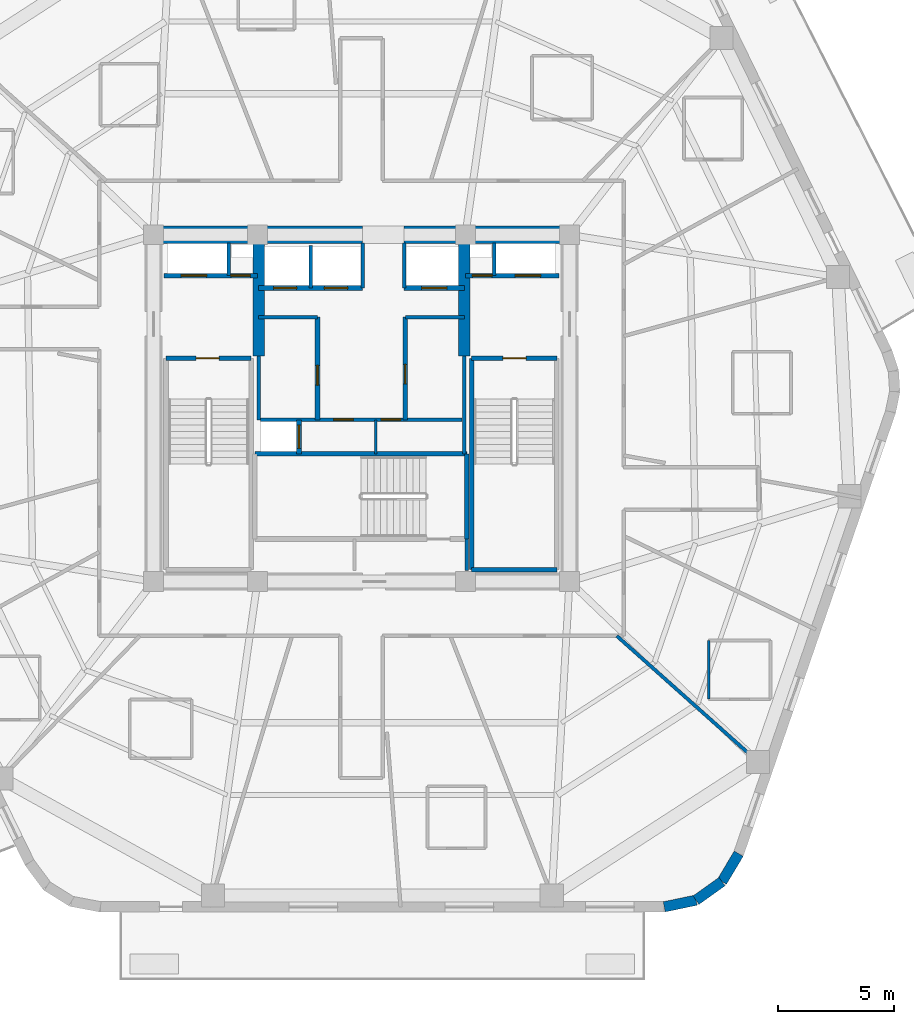
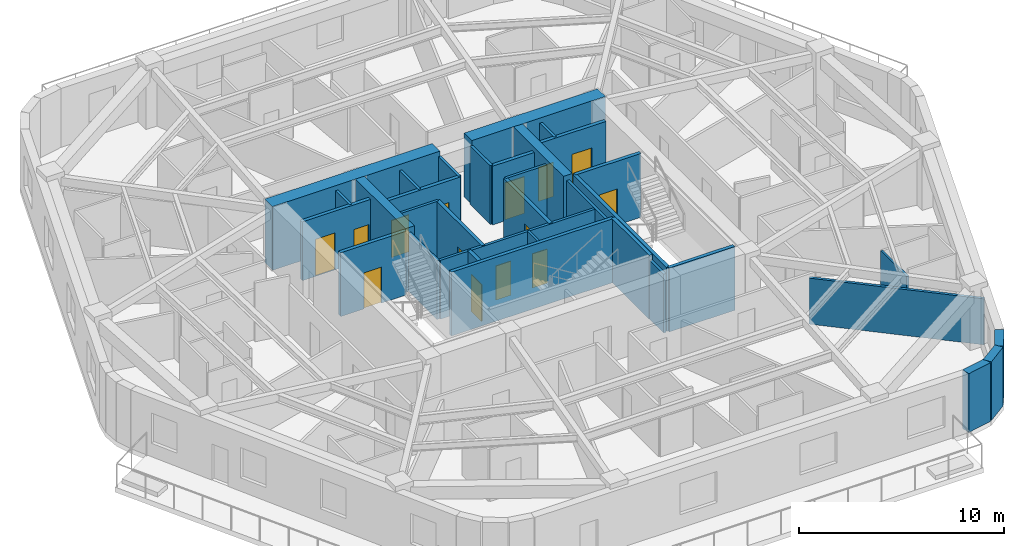
# One storey, part 4 of 10: 34 walls, 14 doors, 14 openings.
"""IFC4 building model written with IfcOpenShell, lengths in metres."""

from ifc_helpers import new_model, si_unit, direction, frame, frame_2d, origin, place, context, subcontext, project, spatial, rectangle, extrude, material, layer, layer_set, type_object, element, fill, save


model = new_model("IFC4")

# Units and contexts
model_context = context("Model", 3, precision=1e-05, world=origin(), true_north=direction((0.0, 1.0)))
body_context = subcontext(model_context, "Body", "Model", "MODEL_VIEW")
ifc_project = project(units=[si_unit("LENGTHUNIT", "METRE"), si_unit("AREAUNIT", "SQUARE_METRE"), si_unit("VOLUMEUNIT", "CUBIC_METRE"), si_unit("PLANEANGLEUNIT", "RADIAN"), si_unit("MASSUNIT", "GRAM", prefix="KILO")], contexts=[model_context])

# Site, building, storey
site_placement = place(None, origin())
site = spatial("IfcSite", under=ifc_project, at=site_placement, CompositionType="ELEMENT")
building_placement = place(site_placement, origin())
building = spatial("IfcBuilding", under=site, at=building_placement, Name="Kilnhurst Terrace Hotel", CompositionType="ELEMENT")
storey_placement = place(building_placement, frame((0.0, 0.0, 244.5)))
storey = spatial("IfcBuildingStorey", under=building, at=storey_placement, Name="L61", CompositionType="ELEMENT", Elevation=244.5)

# Walls
ifc_material_1 = material(Name="Precast concrete C40/50", Category="concrete")
ifc_layer_1 = layer(ifc_material_1, 0.449951171875, Name="Precast concrete C40/50")
ifc_layer_set_1 = layer_set([ifc_layer_1], Name="Precast concrete C40/50")
wall_type_1 = type_object("IfcWallType", Name="WL-BRK-450", PredefinedType="SOLIDWALL", material=ifc_layer_set_1)
wall_1_placement = place(storey_placement, frame((13.1015625, -21.574951171875, 0.0), z_axis=(0.0, 0.0, 1.0), x_axis=(0.978757421505, 0.205021730188, 0.0)))
element("IfcWall", 1, at=wall_1_placement, inside=storey, type_object=wall_type_1, Name="L61 Rounded Corner Brick Wall C2.1", PredefinedType="SOLIDWALL", context=body_context, shape_type="SweptSolid", body=[
    extrude(rectangle(XDim=1.40625, YDim=0.449951171875, at=frame_2d((0.703125, 0.0))), origin(), (0.0, 0.0, 1.0), 3.5),
])
wall_2_placement = place(storey_placement, frame((14.47802734375, -21.28662109375, 0.0), z_axis=(0.0, 0.0, 1.0), x_axis=(0.813888518617, 0.58102106611, 0.0)))
element("IfcWall", 2, at=wall_2_placement, inside=storey, type_object=wall_type_1, Name="L61 Rounded Corner Brick Wall C2.2", PredefinedType="SOLIDWALL", context=body_context, shape_type="SweptSolid", body=[
    extrude(rectangle(XDim=1.3828125, YDim=0.449951171875, at=frame_2d((0.69140625, 0.0))), origin(), (0.0, 0.0, 1.0), 3.5),
])
wall_3_placement = place(storey_placement, frame((15.603515625, -20.483154296875, 0.0), z_axis=(0.0, 0.0, 1.0), x_axis=(0.512222149036, 0.858852996756, 0.0)))
element("IfcWall", 3, at=wall_3_placement, inside=storey, type_object=wall_type_1, Name="L61 Rounded Corner Brick Wall C2.3", PredefinedType="SOLIDWALL", context=body_context, shape_type="SweptSolid", body=[
    extrude(rectangle(XDim=1.406494140625, YDim=0.449951171875, at=frame_2d((0.703125, 0.0))), origin(), (0.0, 0.0, 1.0), 3.5),
])
ifc_material_2 = material(Name="Concrete C60/75", Category="concrete")
ifc_layer_2 = layer(ifc_material_2, 0.75, Name="Concrete C60/75")
ifc_layer_set_2 = layer_set([ifc_layer_2], Name="Concrete C60/75")
wall_type_2 = type_object("IfcWallType", Name="WL-CORE-750", PredefinedType="SHEAR", material=ifc_layer_set_2)
wall_4_placement = place(storey_placement, frame((-9.375, 7.5, 0.0), z_axis=(0.0, 0.0, 1.0), x_axis=(1.0, 0.0, 0.0)))
element("IfcWall", 4, at=wall_4_placement, inside=storey, type_object=wall_type_2, Name="L61 Core North West Shear Wall", PredefinedType="SHEAR", context=body_context, shape_type="SweptSolid", body=[
    extrude(rectangle(XDim=9.425048828125, YDim=0.75, at=frame_2d((4.71240234375, 0.0))), origin(), (0.0, 0.0, 1.0), 3.800048828125),
])
wall_5_placement = place(storey_placement, frame((1.85009765625, 7.5, 0.0), z_axis=(0.0, 0.0, 1.0), x_axis=(1.0, 0.0, 0.0)))
element("IfcWall", 5, at=wall_5_placement, inside=storey, type_object=wall_type_2, Name="L61 Core North East Shear Wall", PredefinedType="SHEAR", context=body_context, shape_type="SweptSolid", body=[
    extrude(rectangle(XDim=7.52490234375, YDim=0.75, at=frame_2d((3.762451171875, 0.0))), origin(), (0.0, 0.0, 1.0), 3.800048828125),
])
ifc_layer_3 = layer(ifc_material_2, 0.5, Name="Concrete C60/75")
ifc_layer_set_3 = layer_set([ifc_layer_3], Name="Concrete C60/75")
wall_type_3 = type_object("IfcWallType", Name="WL-CORE-WEB-500", PredefinedType="SHEAR", material=ifc_layer_set_3)
for number, where, z_axis, x_axis, name in (
    (6, (-4.449951171875, 2.25, 0.0), (0.0, 0.0, 1.0), (0.0, 1.0, 0.0), "L61 Core Internal West Shear Web"),
    (7, (4.449951171875, 2.25, 0.0), (0.0, 0.0, 1.0), (0.0, 1.0, 0.0), "L61 Core Internal East Shear Web"),
):
    element("IfcWall", number, at=place(storey_placement, frame(where, z_axis=z_axis, x_axis=x_axis)), inside=storey, type_object=wall_type_3, Name=name, PredefinedType="SHEAR", context=body_context, shape_type="SweptSolid", body=[
        extrude(rectangle(XDim=4.875, YDim=0.5, at=frame_2d((2.4375, 0.0))), origin(), (0.0, 0.0, 1.0), 3.800048828125),
    ])
ifc_material_3 = material(Name="STC-58 Acoustic Twin-Frame Guestroom Demising Partition")
ifc_layer_4 = layer(ifc_material_3, 0.14990234375, Name="STC-58 Acoustic Twin-Frame Guestroom Demising Partition")
ifc_layer_set_4 = layer_set([ifc_layer_4], Name="STC-58 Acoustic Twin-Frame Guestroom Demising Partition")
wall_type_4 = type_object("IfcWallType", Name="WL-DEM-150", PredefinedType="PARTITIONING", material=ifc_layer_set_4)
wall_6_placement = place(storey_placement, frame((11.04833984375, -9.85009765625, 0.0), z_axis=(0.0, 0.0, 1.0), x_axis=(0.746444434655, -0.665447748492, 0.0)))
element("IfcWall", 8, at=wall_6_placement, inside=storey, type_object=wall_type_4, Name="L61 Interior Wall WL-L61-DEM-COL11-16-1", PredefinedType="PARTITIONING", context=body_context, shape_type="SweptSolid", body=[
    extrude(rectangle(XDim=8.732177734375, YDim=0.14990234375, at=frame_2d((4.3662109375, 0.0))), origin(), (0.0, 0.0, 1.0), 2.739990234375),
])
ifc_material_4 = material(Name="120 mm Moisture-Resistant Tile-Backed Bathroom Partition")
ifc_layer_5 = layer(ifc_material_4, 0.1201171875, Name="120 mm Moisture-Resistant Tile-Backed Bathroom Partition")
ifc_layer_set_5 = layer_set([ifc_layer_5], Name="120 mm Moisture-Resistant Tile-Backed Bathroom Partition")
wall_type_5 = type_object("IfcWallType", Name="WL-PART-120", PredefinedType="PARTITIONING", material=ifc_layer_set_5)
wall_7_placement = place(storey_placement, frame((0.6201171875, -1.971923828125, 0.0), z_axis=(0.0, 0.0, 1.0), x_axis=(0.0, 1.0, 0.0)))
element("IfcWall", 9, at=wall_7_placement, inside=storey, type_object=wall_type_5, Name="L61 Interior Wall WL-L61-BOH-C1", PredefinedType="PARTITIONING", context=body_context, shape_type="SweptSolid", body=[
    extrude(rectangle(XDim=1.471923828125, YDim=0.1201171875, at=frame_2d((0.73583984375, 0.0))), origin(), (0.0, 0.0, 1.0), 3.5),
])
wall_8_placement = place(storey_placement, frame((15.02392578125, -10.049072265625, 0.0), z_axis=(0.0, 0.0, 1.0), x_axis=(0.0, -1.0, 0.0)))
element("IfcWall", 10, at=wall_8_placement, inside=storey, type_object=wall_type_5, Name="L61 Interior Wall WL-L61-BTH-16-4", PredefinedType="PARTITIONING", context=body_context, shape_type="SweptSolid", body=[
    extrude(rectangle(XDim=2.5400390625, YDim=0.1201171875, at=frame_2d((1.27001953125, 0.0))), origin(), (0.0, 0.0, 1.0), 3.072509765625),
])
ifc_material_5 = material(Name="Fire-Rated Gypsum Shaftliner Assembly")
ifc_layer_6 = layer(ifc_material_5, 0.14990234375, Name="Fire-Rated Gypsum Shaftliner Assembly")
ifc_layer_set_6 = layer_set([ifc_layer_6], Name="Fire-Rated Gypsum Shaftliner Assembly")
wall_type_6 = type_object("IfcWallType", Name="WL-SHAFT-150", PredefinedType="PARTITIONING", material=ifc_layer_set_6)
wall_9_placement = place(storey_placement, frame((4.55810546875, -7.02001953125, 0.0), z_axis=(0.0, 0.0, 1.0), x_axis=(0.0, 1.0, 0.0)))
element("IfcWall", 11, at=wall_9_placement, inside=storey, type_object=wall_type_6, Name="L61 Interior Wall WL-L61-ST3-PSGE", PredefinedType="PARTITIONING", context=body_context, shape_type="SweptSolid", body=[
    extrude(rectangle(XDim=1.362060546875, YDim=0.14990234375, at=frame_2d((0.68115234375, 0.0))), origin(), (0.0, 0.0, 1.0), 3.5),
])
for number, where, z_axis, x_axis, name in (
    (12, (-5.75, 5.739990234375, 0.0), (0.0, 0.0, 1.0), (0.0, 1.0, 0.0), "L61 Interior Wall WL-L61-RIS1-DIV"),
    (13, (5.75, 5.739990234375, 0.0), (0.0, 0.0, 1.0), (0.0, 1.0, 0.0), "L61 Interior Wall WL-L61-RIS2-DIV"),
):
    element("IfcWall", number, at=place(storey_placement, frame(where, z_axis=z_axis, x_axis=x_axis)), inside=storey, type_object=wall_type_6, Name=name, PredefinedType="PARTITIONING", context=body_context, shape_type="SweptSolid", body=[
        extrude(rectangle(XDim=1.409912109375, YDim=0.14990234375, at=frame_2d((0.705078125, 0.0))), origin(), (0.0, 0.0, 1.0), 3.5),
    ])
wall_10_placement = place(storey_placement, frame((-2.199951171875, 5.199951171875, 0.0), z_axis=(0.0, 0.0, 1.0), x_axis=(0.0, 1.0, 0.0)))
element("IfcWall", 14, at=wall_10_placement, inside=storey, type_object=wall_type_6, Name="L61 Interior Wall WL-L61-HR-DIV1", PredefinedType="PARTITIONING", context=body_context, shape_type="SweptSolid", body=[
    extrude(rectangle(XDim=1.85009765625, YDim=0.14990234375, at=frame_2d((0.925048828125, 0.0))), origin(), (0.0, 0.0, 1.0), 3.5),
])
for number, where, z_axis, x_axis, name in (
    (15, (0.050048828125, 5.199951171875, 0.0), (0.0, 0.0, 1.0), (0.0, 1.0, 0.0), "L61 Interior Wall WL-L61-HR-PORTAL-W"),
    (16, (1.85009765625, 5.199951171875, 0.0), (0.0, 0.0, 1.0), (0.0, 1.0, 0.0), "L61 Interior Wall WL-L61-HR-PORTAL-E"),
):
    element("IfcWall", number, at=place(storey_placement, frame(where, z_axis=z_axis, x_axis=x_axis)), inside=storey, type_object=wall_type_6, Name=name, PredefinedType="PARTITIONING", context=body_context, shape_type="SweptSolid", body=[
        extrude(rectangle(XDim=1.949951171875, YDim=0.14990234375, at=frame_2d((0.97509765625, 0.0))), origin(), (0.0, 0.0, 1.0), 3.5),
    ])
wall_11_placement = place(storey_placement, frame((-4.449951171875, -0.5, 0.0), z_axis=(0.0, 0.0, 1.0), x_axis=(0.0, 1.0, 0.0)))
element("IfcWall", 17, at=wall_11_placement, inside=storey, type_object=wall_type_6, Name="L61 Interior Wall WL-L61-XLOB-W", PredefinedType="PARTITIONING", context=body_context, shape_type="SweptSolid", body=[
    extrude(rectangle(XDim=2.75, YDim=0.14990234375, at=frame_2d((1.375, 0.0))), origin(), (0.0, 0.0, 1.0), 3.5),
])
wall_12_placement = place(storey_placement, frame((4.449951171875, -1.971923828125, 0.0), z_axis=(0.0, 0.0, 1.0), x_axis=(0.0, 1.0, 0.0)))
element("IfcWall", 18, at=wall_12_placement, inside=storey, type_object=wall_type_6, Name="L61 Interior Wall WL-L61-XLOB-E", PredefinedType="PARTITIONING", context=body_context, shape_type="SweptSolid", body=[
    extrude(rectangle(XDim=4.221923828125, YDim=0.14990234375, at=frame_2d((2.11083984375, 0.0))), origin(), (0.0, 0.0, 1.0), 3.5),
])
for number, where, z_axis, x_axis, name in (
    (19, (-4.449951171875, 3.93994140625, 0.0), (0.0, 0.0, 1.0), (1.0, 0.0, 0.0), "L61 Interior Wall WL-L61-LR-NORTH"),
    (20, (1.89990234375, 3.93994140625, 0.0), (0.0, 0.0, 1.0), (1.0, 0.0, 0.0), "L61 Interior Wall WL-L61-MR-NORTH"),
):
    element("IfcWall", number, at=place(storey_placement, frame(where, z_axis=z_axis, x_axis=x_axis)), inside=storey, type_object=wall_type_6, Name=name, PredefinedType="PARTITIONING", context=body_context, shape_type="SweptSolid", body=[
        extrude(rectangle(XDim=2.550048828125, YDim=0.14990234375, at=frame_2d((1.27490234375, 0.0))), origin(), (0.0, 0.0, 1.0), 3.5),
    ])

# Wall, openings, doors
wall_13_placement = place(storey_placement, frame((-4.360107421875, -0.489990234375, 0.0), z_axis=(0.0, 0.0, 1.0), x_axis=(1.0, 0.0, 0.0)))
wall_13 = element("IfcWall", 21, at=wall_13_placement, inside=storey, type_object=wall_type_6, Name="L61 Interior Wall WL-L61-BOH-N", PredefinedType="PARTITIONING", context=body_context, shape_type="SweptSolid", body=[
    extrude(rectangle(XDim=8.72021484375, YDim=0.14990234375, at=frame_2d((4.360107421875, 0.0))), origin(), (0.0, 0.0, 1.0), 3.5),
])
opening_1_placement = place(wall_13_placement, frame((3.159912109375, 0.0, 0.0)))
opening_1 = element("IfcOpeningElement", 22, at=opening_1_placement, cuts=wall_13, Name="Opening D-60D", PredefinedType="OPENING", context=body_context, shape_type="SweptSolid", body=[
    extrude(rectangle(XDim=0.85009765625, YDim=2.030029296875, at=frame_2d((0.425048828125, 1.01513671875))), frame((0.0, 0.0849609375, 0.0), z_axis=(0.0, -1.0, 0.0), x_axis=(1.0, 0.0, 0.0)), (0.0, 0.0, 1.0), 0.169921875),
])
opening_2_placement = place(wall_13_placement, frame((5.2099609375, 0.0, 0.0)))
opening_2 = element("IfcOpeningElement", 23, at=opening_2_placement, cuts=wall_13, Name="Opening D-60D", PredefinedType="OPENING", context=body_context, shape_type="SweptSolid", body=[
    extrude(rectangle(XDim=0.85009765625, YDim=2.030029296875, at=frame_2d((0.425048828125, 1.01513671875))), frame((0.0, 0.0849609375, 0.0), z_axis=(0.0, -1.0, 0.0), x_axis=(1.0, 0.0, 0.0)), (0.0, 0.0, 1.0), 0.169921875),
])
ifc_material_6 = material(Name="Painted Hollow Metal Steel ASTM A36 Riser Door", Category="steel")
door_type_1 = type_object("IfcDoorType", Name="DR-FD60-850", OperationType="NOTDEFINED", PredefinedType="DOOR", material=ifc_material_6)
door_1_placement = place(opening_1_placement, origin())
door_1 = element("IfcDoor", 24, at=door_1_placement, inside=storey, type_object=door_type_1, Name="L61 Housekeeping Laundry Door", OperationType="SINGLE_SWING_LEFT", OverallHeight=2.030029296875, OverallWidth=0.85009765625, PredefinedType="DOOR", context=body_context, shape_type="SweptSolid", body=[
    extrude(rectangle(XDim=0.85009765625, YDim=2.030029296875, at=frame_2d((0.425048828125, 1.01513671875))), frame((0.0, 0.02490234375, 0.0), z_axis=(0.0, -1.0, 0.0), x_axis=(1.0, 0.0, 0.0)), (0.0, 0.0, 1.0), 0.050048828125),
])
fill(opening_1, door_1)
door_2_placement = place(opening_2_placement, origin())
door_2 = element("IfcDoor", 25, at=door_2_placement, inside=storey, type_object=door_type_1, Name="L61 Room Service Kitchen Door", OperationType="SINGLE_SWING_RIGHT", OverallHeight=2.030029296875, OverallWidth=0.85009765625, PredefinedType="DOOR", context=body_context, shape_type="SweptSolid", body=[
    extrude(rectangle(XDim=0.85009765625, YDim=2.030029296875, at=frame_2d((0.425048828125, 1.01513671875))), frame((0.0, 0.02490234375, 0.0), z_axis=(0.0, -1.0, 0.0), x_axis=(1.0, 0.0, 0.0)), (0.0, 0.0, 1.0), 0.050048828125),
])
fill(opening_2, door_2)

ifc_material_7 = material(Name="Autoclaved Aerated Concrete C30/37 and Gypsum Shaft Assembly", Category="concrete")
ifc_layer_7 = layer(ifc_material_7, 0.199951171875, Name="Autoclaved Aerated Concrete C30/37 and Gypsum Shaft Assembly")
ifc_layer_set_7 = layer_set([ifc_layer_7], Name="Autoclaved Aerated Concrete C30/37 and Gypsum Shaft Assembly")
wall_type_7 = type_object("IfcWallType", Name="WL-SHAFT-200", PredefinedType="PARTITIONING", material=ifc_layer_set_7)
wall_14_placement = place(storey_placement, frame((-8.550048828125, 5.739990234375, 0.0), z_axis=(0.0, 0.0, 1.0), x_axis=(1.0, 0.0, 0.0)))
wall_14 = element("IfcWall", 26, at=wall_14_placement, inside=storey, type_object=wall_type_7, Name="L61 Interior Wall WL-L61-FSAE1-S", PredefinedType="PARTITIONING", context=body_context, shape_type="SweptSolid", body=[
    extrude(rectangle(XDim=4.050048828125, YDim=0.199951171875, at=frame_2d((2.02490234375, 0.0))), origin(), (0.0, 0.0, 1.0), 3.5),
])
opening_3_placement = place(wall_14_placement, frame((0.75, 0.0, 0.0)))
opening_3 = element("IfcOpeningElement", 27, at=opening_3_placement, cuts=wall_14, Name="Opening LD-F1", PredefinedType="OPENING", context=body_context, shape_type="SweptSolid", body=[
    extrude(rectangle(XDim=1.10009765625, YDim=2.199951171875, at=frame_2d((0.550048828125, 1.10009765625))), frame((0.0, 0.10986328125, 0.0), z_axis=(0.0, -1.0, 0.0), x_axis=(1.0, 0.0, 0.0)), (0.0, 0.0, 1.0), 0.219970703125),
])
opening_4_placement = place(wall_14_placement, frame((2.89990234375, 0.0, 0.0)))
opening_4 = element("IfcOpeningElement", 28, at=opening_4_placement, cuts=wall_14, Name="Opening D-60D", PredefinedType="OPENING", context=body_context, shape_type="SweptSolid", body=[
    extrude(rectangle(XDim=0.85009765625, YDim=2.030029296875, at=frame_2d((0.425048828125, 1.01513671875))), frame((0.0, 0.10986328125, 0.0), z_axis=(0.0, -1.0, 0.0), x_axis=(1.0, 0.0, 0.0)), (0.0, 0.0, 1.0), 0.219970703125),
])
door_3_placement = place(opening_4_placement, origin())
door_3 = element("IfcDoor", 29, at=door_3_placement, inside=storey, type_object=door_type_1, Name="L61 Electrical Riser Door", OperationType="SINGLE_SWING_LEFT", OverallHeight=2.030029296875, OverallWidth=0.85009765625, PredefinedType="DOOR", context=body_context, shape_type="SweptSolid", body=[
    extrude(rectangle(XDim=0.85009765625, YDim=2.030029296875, at=frame_2d((0.425048828125, 1.01513671875))), frame((0.0, 0.02490234375, 0.0), z_axis=(0.0, -1.0, 0.0), x_axis=(1.0, 0.0, 0.0)), (0.0, 0.0, 1.0), 0.050048828125),
])
fill(opening_4, door_3)
ifc_material_8 = material(Name="Bronze-Anodized Stainless Steel AISI 316L Sliding Door", Category="steel")
door_type_2 = type_object("IfcDoorType", Name="DR-LIFT-1100", OperationType="NOTDEFINED", PredefinedType="DOOR", material=ifc_material_8)
door_4_placement = place(opening_3_placement, origin())
door_4 = element("IfcDoor", 30, at=door_4_placement, inside=storey, type_object=door_type_2, Name="L61 FSAE-1 Landing Door", OperationType="SLIDING_TO_LEFT", OverallHeight=2.199951171875, OverallWidth=1.10009765625, PredefinedType="DOOR", context=body_context, shape_type="SweptSolid", body=[
    extrude(rectangle(XDim=1.10009765625, YDim=2.199951171875, at=frame_2d((0.550048828125, 1.10009765625))), frame((0.0, 0.02490234375, 0.0), z_axis=(0.0, -1.0, 0.0), x_axis=(1.0, 0.0, 0.0)), (0.0, 0.0, 1.0), 0.050048828125),
])
fill(opening_3, door_4)

wall_15_placement = place(storey_placement, frame((4.5, 5.739990234375, 0.0), z_axis=(0.0, 0.0, 1.0), x_axis=(1.0, 0.0, 0.0)))
wall_15 = element("IfcWall", 31, at=wall_15_placement, inside=storey, type_object=wall_type_7, Name="L61 Interior Wall WL-L61-FSAE2-S", PredefinedType="PARTITIONING", context=body_context, shape_type="SweptSolid", body=[
    extrude(rectangle(XDim=4.050048828125, YDim=0.199951171875, at=frame_2d((2.02490234375, 0.0))), origin(), (0.0, 0.0, 1.0), 3.5),
])
opening_5_placement = place(wall_15_placement, frame((0.300048828125, 0.0, 0.0)))
opening_5 = element("IfcOpeningElement", 32, at=opening_5_placement, cuts=wall_15, Name="Opening D-60D", PredefinedType="OPENING", context=body_context, shape_type="SweptSolid", body=[
    extrude(rectangle(XDim=0.85009765625, YDim=2.030029296875, at=frame_2d((0.425048828125, 1.01513671875))), frame((0.0, 0.10986328125, 0.0), z_axis=(0.0, -1.0, 0.0), x_axis=(1.0, 0.0, 0.0)), (0.0, 0.0, 1.0), 0.219970703125),
])
opening_6_placement = place(wall_15_placement, frame((2.14990234375, 0.0, 0.0)))
opening_6 = element("IfcOpeningElement", 33, at=opening_6_placement, cuts=wall_15, Name="Opening LD-F2", PredefinedType="OPENING", context=body_context, shape_type="SweptSolid", body=[
    extrude(rectangle(XDim=1.10009765625, YDim=2.199951171875, at=frame_2d((0.550048828125, 1.10009765625))), frame((0.0, 0.10986328125, 0.0), z_axis=(0.0, -1.0, 0.0), x_axis=(1.0, 0.0, 0.0)), (0.0, 0.0, 1.0), 0.219970703125),
])
door_5_placement = place(opening_5_placement, origin())
door_5 = element("IfcDoor", 34, at=door_5_placement, inside=storey, type_object=door_type_1, Name="L61 Telecom Riser Door", OperationType="SINGLE_SWING_RIGHT", OverallHeight=2.030029296875, OverallWidth=0.85009765625, PredefinedType="DOOR", context=body_context, shape_type="SweptSolid", body=[
    extrude(rectangle(XDim=0.85009765625, YDim=2.030029296875, at=frame_2d((0.425048828125, 1.01513671875))), frame((0.0, 0.02490234375, 0.0), z_axis=(0.0, -1.0, 0.0), x_axis=(1.0, 0.0, 0.0)), (0.0, 0.0, 1.0), 0.050048828125),
])
fill(opening_5, door_5)
door_6_placement = place(opening_6_placement, origin())
door_6 = element("IfcDoor", 35, at=door_6_placement, inside=storey, type_object=door_type_2, Name="L61 FSAE-2 Landing Door", OperationType="SLIDING_TO_RIGHT", OverallHeight=2.199951171875, OverallWidth=1.10009765625, PredefinedType="DOOR", context=body_context, shape_type="SweptSolid", body=[
    extrude(rectangle(XDim=1.10009765625, YDim=2.199951171875, at=frame_2d((0.550048828125, 1.10009765625))), frame((0.0, 0.02490234375, 0.0), z_axis=(0.0, -1.0, 0.0), x_axis=(1.0, 0.0, 0.0)), (0.0, 0.0, 1.0), 0.050048828125),
])
fill(opening_6, door_6)

# Wall, opening, door
wall_16_placement = place(storey_placement, frame((-2.699951171875, -1.971923828125, 0.0), z_axis=(0.0, 0.0, 1.0), x_axis=(0.0, 1.0, 0.0)))
wall_16 = element("IfcWall", 36, at=wall_16_placement, inside=storey, type_object=wall_type_7, Name="L61 Interior Wall WL-L61-SRV1-E", PredefinedType="PARTITIONING", context=body_context, shape_type="SweptSolid", body=[
    extrude(rectangle(XDim=1.471923828125, YDim=0.199951171875, at=frame_2d((0.73583984375, 0.0))), origin(), (0.0, 0.0, 1.0), 3.5),
])
opening_7_placement = place(wall_16_placement, frame((0.239990234375, 0.0, 0.0)))
opening_7 = element("IfcOpeningElement", 37, at=opening_7_placement, cuts=wall_16, Name="Opening LD-SV", PredefinedType="OPENING", context=body_context, shape_type="SweptSolid", body=[
    extrude(rectangle(XDim=1.0, YDim=2.199951171875, at=frame_2d((0.5, 1.10009765625))), frame((0.0, 0.10986328125, 0.0), z_axis=(0.0, -1.0, 0.0), x_axis=(1.0, 0.0, 0.0)), (0.0, 0.0, 1.0), 0.219970703125),
])
door_type_3 = type_object("IfcDoorType", Name="DR-LIFT-1000", OperationType="NOTDEFINED", PredefinedType="DOOR", material=ifc_material_8)
door_7_placement = place(opening_7_placement, origin())
door_7 = element("IfcDoor", 38, at=door_7_placement, inside=storey, type_object=door_type_3, Name="L61 Service Lift SRV-1 Landing Door", OperationType="SLIDING_TO_LEFT", OverallHeight=2.199951171875, OverallWidth=1.0, PredefinedType="DOOR", context=body_context, shape_type="SweptSolid", body=[
    extrude(rectangle(XDim=1.0, YDim=2.199951171875, at=frame_2d((0.5, 1.10009765625))), frame((0.0, 0.02490234375, 0.0), z_axis=(0.0, -1.0, 0.0), x_axis=(1.0, 0.0, 0.0)), (0.0, 0.0, 1.0), 0.050048828125),
])
fill(opening_7, door_7)

# Wall, openings, doors
wall_17_placement = place(storey_placement, frame((-4.449951171875, 5.199951171875, 0.0), z_axis=(0.0, 0.0, 1.0), x_axis=(1.0, 0.0, 0.0)))
wall_17 = element("IfcWall", 39, at=wall_17_placement, inside=storey, type_object=wall_type_7, Name="L61 Interior Wall WL-L61-HR-SW", PredefinedType="PARTITIONING", context=body_context, shape_type="SweptSolid", body=[
    extrude(rectangle(XDim=4.5, YDim=0.199951171875, at=frame_2d((2.25, 0.0))), origin(), (0.0, 0.0, 1.0), 3.5),
])
opening_8_placement = place(wall_17_placement, frame((0.64990234375, 0.0, 0.0)))
opening_8 = element("IfcOpeningElement", 40, at=opening_8_placement, cuts=wall_17, Name="Opening LD-HR", PredefinedType="OPENING", context=body_context, shape_type="SweptSolid", body=[
    extrude(rectangle(XDim=1.0, YDim=2.199951171875, at=frame_2d((0.5, 1.10009765625))), frame((0.0, 0.10986328125, 0.0), z_axis=(0.0, -1.0, 0.0), x_axis=(1.0, 0.0, 0.0)), (0.0, 0.0, 1.0), 0.219970703125),
])
opening_9_placement = place(wall_17_placement, frame((2.85009765625, 0.0, 0.0)))
opening_9 = element("IfcOpeningElement", 41, at=opening_9_placement, cuts=wall_17, Name="Opening LD-HS", PredefinedType="OPENING", context=body_context, shape_type="SweptSolid", body=[
    extrude(rectangle(XDim=1.0, YDim=2.199951171875, at=frame_2d((0.5, 1.10009765625))), frame((0.0, 0.10986328125, 0.0), z_axis=(0.0, -1.0, 0.0), x_axis=(1.0, 0.0, 0.0)), (0.0, 0.0, 1.0), 0.219970703125),
])
door_8_placement = place(opening_8_placement, origin())
door_8 = element("IfcDoor", 42, at=door_8_placement, inside=storey, type_object=door_type_3, Name="L61 High Rise Lift HR-1 Landing Door", OperationType="SLIDING_TO_LEFT", OverallHeight=2.199951171875, OverallWidth=1.0, PredefinedType="DOOR", context=body_context, shape_type="SweptSolid", body=[
    extrude(rectangle(XDim=1.0, YDim=2.199951171875, at=frame_2d((0.5, 1.10009765625))), frame((0.0, 0.02490234375, 0.0), z_axis=(0.0, -1.0, 0.0), x_axis=(1.0, 0.0, 0.0)), (0.0, 0.0, 1.0), 0.050048828125),
])
fill(opening_8, door_8)
door_9_placement = place(opening_9_placement, origin())
door_9 = element("IfcDoor", 43, at=door_9_placement, inside=storey, type_object=door_type_3, Name="L61 High Rise Lift HR-3 Landing Door", OperationType="SLIDING_TO_RIGHT", OverallHeight=2.199951171875, OverallWidth=1.0, PredefinedType="DOOR", context=body_context, shape_type="SweptSolid", body=[
    extrude(rectangle(XDim=1.0, YDim=2.199951171875, at=frame_2d((0.5, 1.10009765625))), frame((0.0, 0.02490234375, 0.0), z_axis=(0.0, -1.0, 0.0), x_axis=(1.0, 0.0, 0.0)), (0.0, 0.0, 1.0), 0.050048828125),
])
fill(opening_9, door_9)

# Wall, opening, door
wall_18_placement = place(storey_placement, frame((1.85009765625, 5.199951171875, 0.0), z_axis=(0.0, 0.0, 1.0), x_axis=(1.0, 0.0, 0.0)))
wall_18 = element("IfcWall", 44, at=wall_18_placement, inside=storey, type_object=wall_type_7, Name="L61 Interior Wall WL-L61-HR-SE", PredefinedType="PARTITIONING", context=body_context, shape_type="SweptSolid", body=[
    extrude(rectangle(XDim=2.599853515625, YDim=0.199951171875, at=frame_2d((1.2998046875, 0.0))), origin(), (0.0, 0.0, 1.0), 3.5),
])
opening_10_placement = place(wall_18_placement, frame((0.75, 0.0, 0.0)))
opening_10 = element("IfcOpeningElement", 45, at=opening_10_placement, cuts=wall_18, Name="Opening LD-H2", PredefinedType="OPENING", context=body_context, shape_type="SweptSolid", body=[
    extrude(rectangle(XDim=1.10009765625, YDim=2.199951171875, at=frame_2d((0.550048828125, 1.10009765625))), frame((0.0, 0.10986328125, 0.0), z_axis=(0.0, -1.0, 0.0), x_axis=(1.0, 0.0, 0.0)), (0.0, 0.0, 1.0), 0.219970703125),
])
door_10_placement = place(opening_10_placement, origin())
door_10 = element("IfcDoor", 46, at=door_10_placement, inside=storey, type_object=door_type_2, Name="L61 High Rise Lift HR-2 Landing Door", OperationType="SLIDING_TO_RIGHT", OverallHeight=2.199951171875, OverallWidth=1.10009765625, PredefinedType="DOOR", context=body_context, shape_type="SweptSolid", body=[
    extrude(rectangle(XDim=1.10009765625, YDim=2.199951171875, at=frame_2d((0.550048828125, 1.10009765625))), frame((0.0, 0.02490234375, 0.0), z_axis=(0.0, -1.0, 0.0), x_axis=(1.0, 0.0, 0.0)), (0.0, 0.0, 1.0), 0.050048828125),
])
fill(opening_10, door_10)

wall_19_placement = place(storey_placement, frame((-1.89990234375, -0.5, 0.0), z_axis=(0.0, 0.0, 1.0), x_axis=(0.0, 1.0, 0.0)))
wall_19 = element("IfcWall", 47, at=wall_19_placement, inside=storey, type_object=wall_type_7, Name="L61 Interior Wall WL-L61-LR-FRONT", PredefinedType="PARTITIONING", context=body_context, shape_type="SweptSolid", body=[
    extrude(rectangle(XDim=4.43994140625, YDim=0.199951171875, at=frame_2d((2.219970703125, 0.0))), origin(), (0.0, 0.0, 1.0), 3.5),
])
opening_11_placement = place(wall_19_placement, frame((1.5, 0.0, 0.0)))
opening_11 = element("IfcOpeningElement", 48, at=opening_11_placement, cuts=wall_19, Name="Opening D-60D", PredefinedType="OPENING", context=body_context, shape_type="SweptSolid", body=[
    extrude(rectangle(XDim=0.85009765625, YDim=2.030029296875, at=frame_2d((0.425048828125, 1.01513671875))), frame((0.0, 0.10986328125, 0.0), z_axis=(0.0, -1.0, 0.0), x_axis=(1.0, 0.0, 0.0)), (0.0, 0.0, 1.0), 0.219970703125),
])
door_11_placement = place(opening_11_placement, origin())
door_11 = element("IfcDoor", 49, at=door_11_placement, inside=storey, type_object=door_type_1, Name="L61 Reclaimed Linen Room Door", OperationType="SINGLE_SWING_LEFT", OverallHeight=2.030029296875, OverallWidth=0.85009765625, PredefinedType="DOOR", context=body_context, shape_type="SweptSolid", body=[
    extrude(rectangle(XDim=0.85009765625, YDim=2.030029296875, at=frame_2d((0.425048828125, 1.01513671875))), frame((0.0, 0.02490234375, 0.0), z_axis=(0.0, -1.0, 0.0), x_axis=(1.0, 0.0, 0.0)), (0.0, 0.0, 1.0), 0.050048828125),
])
fill(opening_11, door_11)

wall_20_placement = place(storey_placement, frame((1.89990234375, -0.5, 0.0), z_axis=(0.0, 0.0, 1.0), x_axis=(0.0, 1.0, 0.0)))
wall_20 = element("IfcWall", 50, at=wall_20_placement, inside=storey, type_object=wall_type_7, Name="L61 Interior Wall WL-L61-MR-FRONT", PredefinedType="PARTITIONING", context=body_context, shape_type="SweptSolid", body=[
    extrude(rectangle(XDim=4.43994140625, YDim=0.199951171875, at=frame_2d((2.219970703125, 0.0))), origin(), (0.0, 0.0, 1.0), 3.5),
])
opening_12_placement = place(wall_20_placement, frame((1.550048828125, 0.0, 0.0)))
opening_12 = element("IfcOpeningElement", 51, at=opening_12_placement, cuts=wall_20, Name="Opening D-60D", PredefinedType="OPENING", context=body_context, shape_type="SweptSolid", body=[
    extrude(rectangle(XDim=0.85009765625, YDim=2.030029296875, at=frame_2d((0.425048828125, 1.01513671875))), frame((0.0, 0.10986328125, 0.0), z_axis=(0.0, -1.0, 0.0), x_axis=(1.0, 0.0, 0.0)), (0.0, 0.0, 1.0), 0.219970703125),
])
door_12_placement = place(opening_12_placement, origin())
door_12 = element("IfcDoor", 52, at=door_12_placement, inside=storey, type_object=door_type_1, Name="L61 Staff Accessible Restroom Door", OperationType="SINGLE_SWING_RIGHT", OverallHeight=2.030029296875, OverallWidth=0.85009765625, PredefinedType="DOOR", context=body_context, shape_type="SweptSolid", body=[
    extrude(rectangle(XDim=0.85009765625, YDim=2.030029296875, at=frame_2d((0.425048828125, 1.01513671875))), frame((0.0, 0.02490234375, 0.0), z_axis=(0.0, -1.0, 0.0), x_axis=(1.0, 0.0, 0.0)), (0.0, 0.0, 1.0), 0.050048828125),
])
fill(opening_12, door_12)

ifc_material_9 = material(Name="Concrete C50/60", Category="concrete")
ifc_layer_8 = layer(ifc_material_9, 0.199951171875, Name="Concrete C50/60")
ifc_layer_set_8 = layer_set([ifc_layer_8], Name="Concrete C50/60")
wall_type_8 = type_object("IfcWallType", Name="WL-STAIR-RC-200", PredefinedType="SHEAR", material=ifc_layer_set_8)
wall_21_placement = place(storey_placement, frame((-8.4580078125, 2.157958984375, 0.0), z_axis=(0.0, 0.0, 1.0), x_axis=(1.0, 0.0, 0.0)))
wall_21 = element("IfcWall", 53, at=wall_21_placement, inside=storey, type_object=wall_type_8, Name="L61 Structural Stair Shaft Wall WL-L61-ST1-N", PredefinedType="SHEAR", context=body_context, shape_type="SweptSolid", body=[
    extrude(rectangle(XDim=3.68603515625, YDim=0.199951171875, at=frame_2d((1.843017578125, 0.0))), origin(), (0.0, 0.0, 1.0), 3.800048828125),
])
opening_13_placement = place(wall_21_placement, frame((1.300048828125, 0.0, 0.0)))
opening_13 = element("IfcOpeningElement", 54, at=opening_13_placement, cuts=wall_21, Name="Opening D-90B", PredefinedType="OPENING", context=body_context, shape_type="SweptSolid", body=[
    extrude(rectangle(XDim=1.0, YDim=2.14990234375, at=frame_2d((0.5, 1.074951171875))), frame((0.0, 0.10986328125, 0.0), z_axis=(0.0, -1.0, 0.0), x_axis=(1.0, 0.0, 0.0)), (0.0, 0.0, 1.0), 0.219970703125),
])
ifc_material_10 = material(Name="Painted Hollow Metal Steel ASTM A36 Fire Door", Category="steel")
door_type_4 = type_object("IfcDoorType", Name="DR-FD90-1000", OperationType="NOTDEFINED", PredefinedType="DOOR", material=ifc_material_10)
door_13_placement = place(opening_13_placement, origin())
door_13 = element("IfcDoor", 55, at=door_13_placement, inside=storey, type_object=door_type_4, Name="L61 Stair ST-1 Door", OperationType="SINGLE_SWING_LEFT", OverallHeight=2.14990234375, OverallWidth=1.0, PredefinedType="DOOR", context=body_context, shape_type="SweptSolid", body=[
    extrude(rectangle(XDim=1.0, YDim=2.14990234375, at=frame_2d((0.5, 1.074951171875))), frame((0.0, 0.02490234375, 0.0), z_axis=(0.0, -1.0, 0.0), x_axis=(1.0, 0.0, 0.0)), (0.0, 0.0, 1.0), 0.050048828125),
])
fill(opening_13, door_13)

# Walls
wall_22_placement = place(storey_placement, frame((4.77197265625, -6.985107421875, 0.0), z_axis=(0.0, 0.0, 1.0), x_axis=(0.0, 1.0, 0.0)))
element("IfcWall", 56, at=wall_22_placement, inside=storey, type_object=wall_type_8, Name="L61 Structural Stair Shaft Wall WL-L61-ST2-W", PredefinedType="SHEAR", context=body_context, shape_type="SweptSolid", body=[
    extrude(rectangle(XDim=9.14306640625, YDim=0.199951171875, at=frame_2d((4.571533203125, 0.0))), origin(), (0.0, 0.0, 1.0), 3.800048828125),
])
wall_23_placement = place(storey_placement, frame((4.77197265625, -6.985107421875, 0.0), z_axis=(0.0, 0.0, 1.0), x_axis=(1.0, 0.0, 0.0)))
element("IfcWall", 57, at=wall_23_placement, inside=storey, type_object=wall_type_8, Name="L61 Structural Stair Shaft Wall WL-L61-ST2-S", PredefinedType="SHEAR", context=body_context, shape_type="SweptSolid", body=[
    extrude(rectangle(XDim=3.68603515625, YDim=0.199951171875, at=frame_2d((1.843017578125, 0.0))), origin(), (0.0, 0.0, 1.0), 3.800048828125),
])

# Wall, opening, door
wall_24_placement = place(storey_placement, frame((4.77197265625, 2.157958984375, 0.0), z_axis=(0.0, 0.0, 1.0), x_axis=(1.0, 0.0, 0.0)))
wall_24 = element("IfcWall", 58, at=wall_24_placement, inside=storey, type_object=wall_type_8, Name="L61 Structural Stair Shaft Wall WL-L61-ST2-N", PredefinedType="SHEAR", context=body_context, shape_type="SweptSolid", body=[
    extrude(rectangle(XDim=3.68603515625, YDim=0.199951171875, at=frame_2d((1.843017578125, 0.0))), origin(), (0.0, 0.0, 1.0), 3.800048828125),
])
opening_14_placement = place(wall_24_placement, frame((1.35009765625, 0.0, 0.0)))
opening_14 = element("IfcOpeningElement", 59, at=opening_14_placement, cuts=wall_24, Name="Opening D-90B", PredefinedType="OPENING", context=body_context, shape_type="SweptSolid", body=[
    extrude(rectangle(XDim=1.0, YDim=2.14990234375, at=frame_2d((0.5, 1.074951171875))), frame((0.0, 0.10986328125, 0.0), z_axis=(0.0, -1.0, 0.0), x_axis=(1.0, 0.0, 0.0)), (0.0, 0.0, 1.0), 0.219970703125),
])
door_14_placement = place(opening_14_placement, origin())
door_14 = element("IfcDoor", 60, at=door_14_placement, inside=storey, type_object=door_type_4, Name="L61 Stair ST-2 Door", OperationType="SINGLE_SWING_RIGHT", OverallHeight=2.14990234375, OverallWidth=1.0, PredefinedType="DOOR", context=body_context, shape_type="SweptSolid", body=[
    extrude(rectangle(XDim=1.0, YDim=2.14990234375, at=frame_2d((0.5, 1.074951171875))), frame((0.0, 0.02490234375, 0.0), z_axis=(0.0, -1.0, 0.0), x_axis=(1.0, 0.0, 0.0)), (0.0, 0.0, 1.0), 0.050048828125),
])
fill(opening_14, door_14)

# Walls
wall_25_placement = place(storey_placement, frame((-4.60791015625, -1.971923828125, 0.0), z_axis=(0.0, 0.0, 1.0), x_axis=(1.0, 0.0, 0.0)))
element("IfcWall", 61, at=wall_25_placement, inside=storey, type_object=wall_type_8, Name="L61 Structural Stair Shaft Wall WL-L61-ST3-N", PredefinedType="SHEAR", context=body_context, shape_type="SweptSolid", body=[
    extrude(rectangle(XDim=9.166015625, YDim=0.199951171875, at=frame_2d((4.5830078125, 0.0))), origin(), (0.0, 0.0, 1.0), 3.800048828125),
])
wall_26_placement = place(storey_placement, frame((4.55810546875, -5.657958984375, 0.0), z_axis=(0.0, 0.0, 1.0), x_axis=(0.0, 1.0, 0.0)))
element("IfcWall", 62, at=wall_26_placement, inside=storey, type_object=wall_type_8, Name="L61 Structural Stair Shaft Wall WL-L61-ST3-E", PredefinedType="SHEAR", context=body_context, shape_type="SweptSolid", body=[
    extrude(rectangle(XDim=3.68603515625, YDim=0.199951171875, at=frame_2d((1.843017578125, 0.0))), origin(), (0.0, 0.0, 1.0), 3.800048828125),
])

save(model, "model.ifc")
